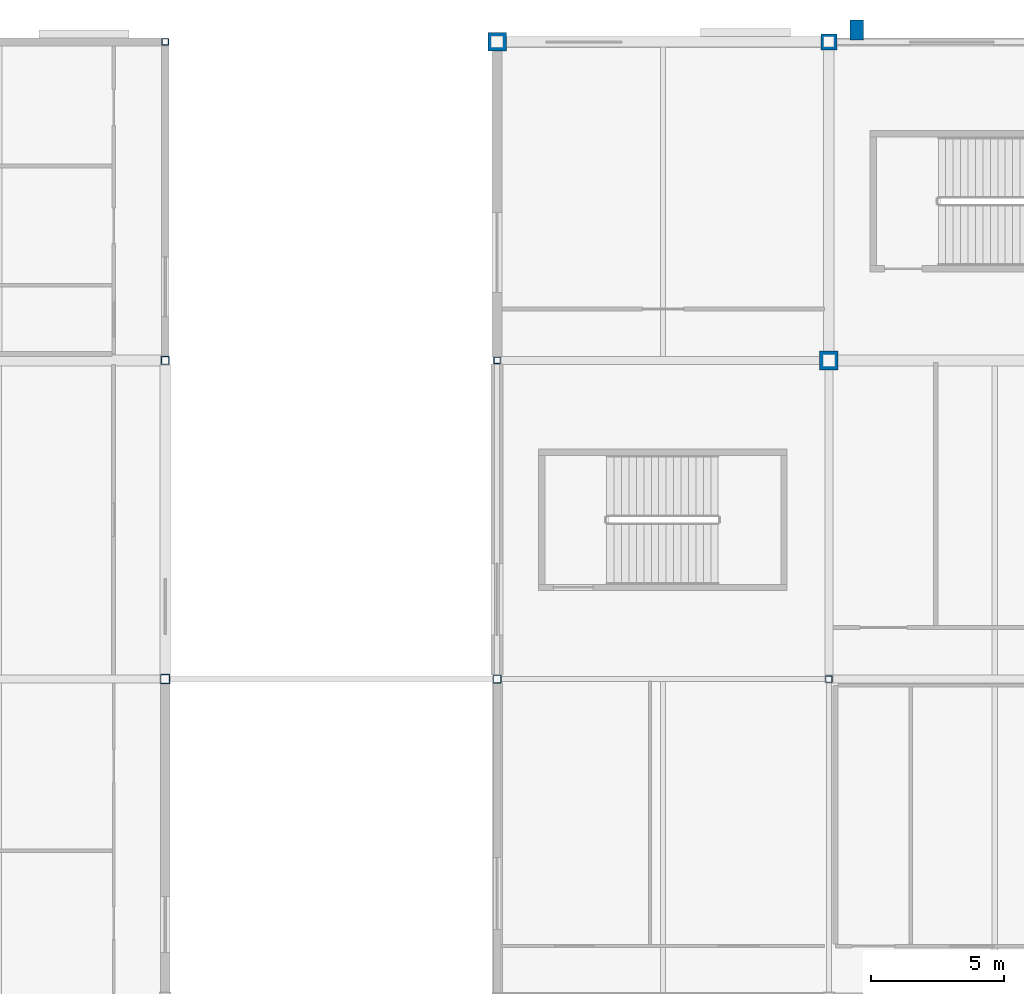
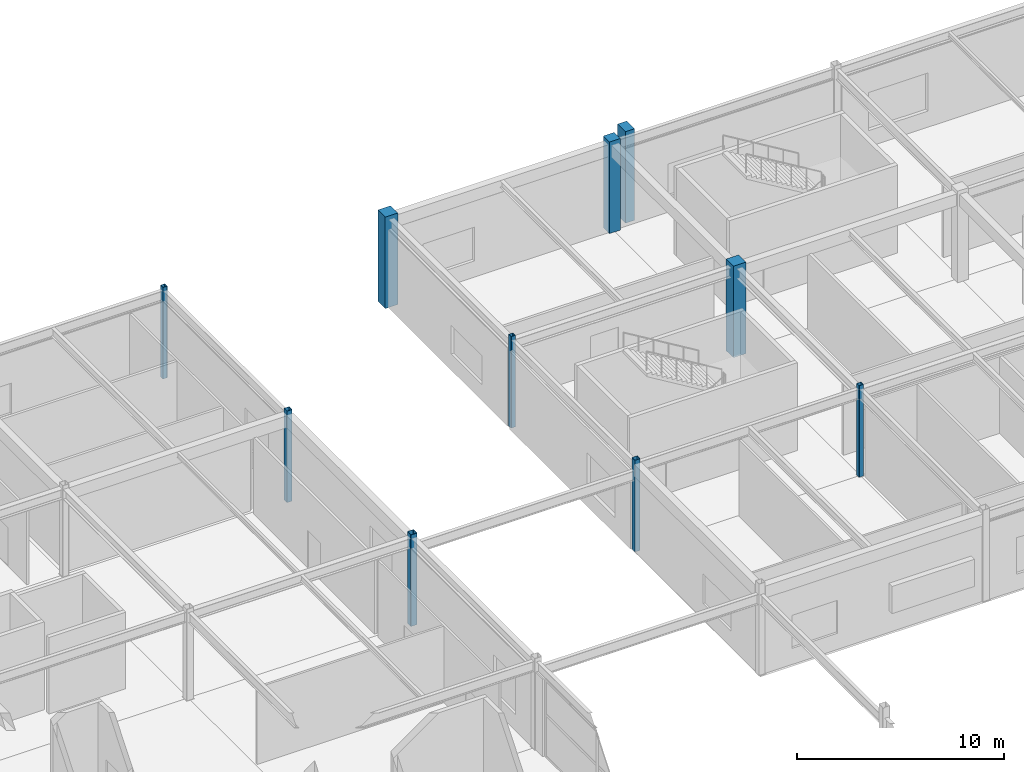
# One storey, part 20 of 105: 10 columns.
"""IFC4 building model written with IfcOpenShell, lengths in metres."""

from ifc_helpers import new_model, si_unit, direction, frame, origin, origin_2d, place, context, subcontext, project, spatial, rectangle, hollow_rectangle, extrude, material, material_profile, profile_set, type_object, element, save


model = new_model("IFC4")

# Units and contexts
model_context = context("Model", 3, precision=1e-05, world=origin(), true_north=direction((0.0, 1.0)))
body_context = subcontext(model_context, "Body", "Model", "MODEL_VIEW")
ifc_project = project(units=[si_unit("LENGTHUNIT", "METRE"), si_unit("AREAUNIT", "SQUARE_METRE"), si_unit("VOLUMEUNIT", "CUBIC_METRE"), si_unit("PLANEANGLEUNIT", "RADIAN"), si_unit("MASSUNIT", "GRAM", prefix="KILO")], contexts=[model_context])

# Site, building, storey
site_placement = place(None, origin())
site = spatial("IfcSite", under=ifc_project, at=site_placement, CompositionType="ELEMENT")
building_placement = place(site_placement, origin())
building = spatial("IfcBuilding", under=site, at=building_placement, Name="Kazenohara Klinker Stadium", CompositionType="ELEMENT")
storey_placement = place(building_placement, frame((0.0, 0.0, 20.39990234375)))
storey = spatial("IfcBuildingStorey", under=building, at=storey_placement, Name="L04", CompositionType="ELEMENT", Elevation=20.39990234375)

# Columns
ifc_material_1 = material(Name="Concrete C40/50", Category="concrete")
ifc_material_profile_1 = material_profile(ifc_material_1, rectangle(XDim=0.699951171875, YDim=0.699951171875, at=origin_2d()), Name="RC-COL-700x700")
ifc_profile_set_1 = profile_set([ifc_material_profile_1], Name="Concrete C40/50")
column_type_1 = type_object("IfcColumnType", Name="COL-RC06", PredefinedType="COLUMN", material=ifc_profile_set_1)
for number, where, z_axis, x_axis, name in (
    (1, (49.0, 168.0, 0.0), (0.0, 0.0, 1.0), (1.0, 0.0, 0.0), "Column C06 L04 5/Q"),
    (2, (61.5, 156.0, 0.0), (0.0, 0.0, 1.0), (1.0, 0.0, 0.0), "Column C06 L04 6/P"),
):
    element("IfcColumn", number, at=place(storey_placement, frame(where, z_axis=z_axis, x_axis=x_axis)), inside=storey, type_object=column_type_1, Name=name, PredefinedType="COLUMN", context=body_context, shape_type="SweptSolid", body=[
        extrude(rectangle(XDim=0.699951171875, YDim=0.699951171875, at=origin_2d()), origin(), (0.0, 0.0, 1.0), 5.400146484375),
    ])
ifc_material_profile_2 = material_profile(ifc_material_1, rectangle(XDim=0.60009765625, YDim=0.60009765625, at=origin_2d()), Name="RC-COL-600x600")
ifc_profile_set_2 = profile_set([ifc_material_profile_2], Name="Concrete C40/50")
column_type_2 = type_object("IfcColumnType", Name="COL-RC07", PredefinedType="COLUMN", material=ifc_profile_set_2)
column_1_placement = place(storey_placement, frame((61.5, 168.0, 0.0), z_axis=(0.0, 0.0, 1.0), x_axis=(1.0, 0.0, 0.0)))
element("IfcColumn", 3, at=column_1_placement, inside=storey, type_object=column_type_2, Name="Column C07 L04 6/Q", PredefinedType="COLUMN", context=body_context, shape_type="SweptSolid", body=[
    extrude(rectangle(XDim=0.60009765625, YDim=0.60009765625, at=origin_2d()), origin(), (0.0, 0.0, 1.0), 5.400146484375),
])
ifc_material_2 = material(Name="Steel S355", Category="steel")
ifc_material_profile_3 = material_profile(ifc_material_2, hollow_rectangle(XDim=0.35009765625, YDim=0.35009765625, WallThickness=0.01611328125, InnerFilletRadius=0.01611328125, OuterFilletRadius=0.031982421875, at=origin_2d()), Name="SHS-350x350x16")
ifc_profile_set_3 = profile_set([ifc_material_profile_3], Name="Steel S355")
column_type_3 = type_object("IfcColumnType", Name="COL-ST02", PredefinedType="COLUMN", material=ifc_profile_set_3)
column_2_placement = place(storey_placement, frame((36.5, 144.0, 0.0), z_axis=(0.0, 0.0, 1.0), x_axis=(1.0, 0.0, 0.0)))
element("IfcColumn", 4, at=column_2_placement, inside=storey, type_object=column_type_3, Name="Column SC02 L04 4/N", PredefinedType="COLUMN", context=body_context, shape_type="SweptSolid", body=[
    extrude(hollow_rectangle(XDim=0.35009765625, YDim=0.35009765625, WallThickness=0.01611328125, InnerFilletRadius=0.01611328125, OuterFilletRadius=0.031982421875, at=origin_2d()), origin(), (0.0, 0.0, 1.0), 5.400146484375),
])
ifc_material_profile_4 = material_profile(ifc_material_2, hollow_rectangle(XDim=0.300048828125, YDim=0.300048828125, WallThickness=0.011962890625, InnerFilletRadius=0.011962890625, OuterFilletRadius=0.02392578125, at=origin_2d()), Name="SHS-300x300x12")
ifc_profile_set_4 = profile_set([ifc_material_profile_4], Name="Steel S355")
column_type_4 = type_object("IfcColumnType", Name="COL-ST03", PredefinedType="COLUMN", material=ifc_profile_set_4)
for number, where, z_axis, x_axis, name in (
    (5, (36.5, 156.0, 0.0), (0.0, 0.0, 1.0), (1.0, 0.0, 0.0), "Column SC03 L04 4/P"),
    (6, (49.0, 144.0, 0.0), (0.0, 0.0, 1.0), (1.0, 0.0, 0.0), "Column SC03 L04 5/N"),
):
    element("IfcColumn", number, at=place(storey_placement, frame(where, z_axis=z_axis, x_axis=x_axis)), inside=storey, type_object=column_type_4, Name=name, PredefinedType="COLUMN", context=body_context, shape_type="SweptSolid", body=[
        extrude(hollow_rectangle(XDim=0.300048828125, YDim=0.300048828125, WallThickness=0.011962890625, InnerFilletRadius=0.011962890625, OuterFilletRadius=0.02392578125, at=origin_2d()), origin(), (0.0, 0.0, 1.0), 5.400146484375),
    ])
ifc_material_profile_5 = material_profile(ifc_material_2, hollow_rectangle(XDim=0.25, YDim=0.25, WallThickness=0.011962890625, InnerFilletRadius=0.011962890625, OuterFilletRadius=0.02392578125, at=origin_2d()), Name="SHS-250x250x12")
ifc_profile_set_5 = profile_set([ifc_material_profile_5], Name="Steel S355")
column_type_5 = type_object("IfcColumnType", Name="COL-ST04", PredefinedType="COLUMN", material=ifc_profile_set_5)
for number, where, z_axis, x_axis, name in (
    (7, (36.5, 168.0, 0.0), (0.0, 0.0, 1.0), (1.0, 0.0, 0.0), "Column SC04 L04 4/Q"),
    (8, (49.0, 156.0, 0.0), (0.0, 0.0, 1.0), (1.0, 0.0, 0.0), "Column SC04 L04 5/P"),
    (9, (61.5, 144.0, 0.0), (0.0, 0.0, 1.0), (1.0, 0.0, 0.0), "Column SC04 L04 6/N"),
):
    element("IfcColumn", number, at=place(storey_placement, frame(where, z_axis=z_axis, x_axis=x_axis)), inside=storey, type_object=column_type_5, Name=name, PredefinedType="COLUMN", context=body_context, shape_type="SweptSolid", body=[
        extrude(hollow_rectangle(XDim=0.25, YDim=0.25, WallThickness=0.011962890625, InnerFilletRadius=0.011962890625, OuterFilletRadius=0.02392578125, at=origin_2d()), origin(), (0.0, 0.0, 1.0), 5.400146484375),
    ])
ifc_material_profile_6 = material_profile(ifc_material_1, rectangle(XDim=0.5, YDim=0.75, at=origin_2d()), Name="RC-PILASTER-500x750")
ifc_profile_set_6 = profile_set([ifc_material_profile_6], Name="Concrete C40/50")
column_type_6 = type_object("IfcColumnType", Name="PIL-RC02", PredefinedType="PILASTER", material=ifc_profile_set_6)
column_3_placement = place(storey_placement, frame((62.550048828125, 168.449951171875, 0.0), z_axis=(0.0, 0.0, 1.0), x_axis=(1.0, 0.0, 0.0)))
element("IfcColumn", 10, at=column_3_placement, inside=storey, type_object=column_type_6, Name="Pleated facade pilaster PL02 L04 North-05", PredefinedType="PILASTER", context=body_context, shape_type="SweptSolid", body=[
    extrude(rectangle(XDim=0.5, YDim=0.75, at=origin_2d()), origin(), (0.0, 0.0, 1.0), 5.400146484375),
])

save(model, "model.ifc")
